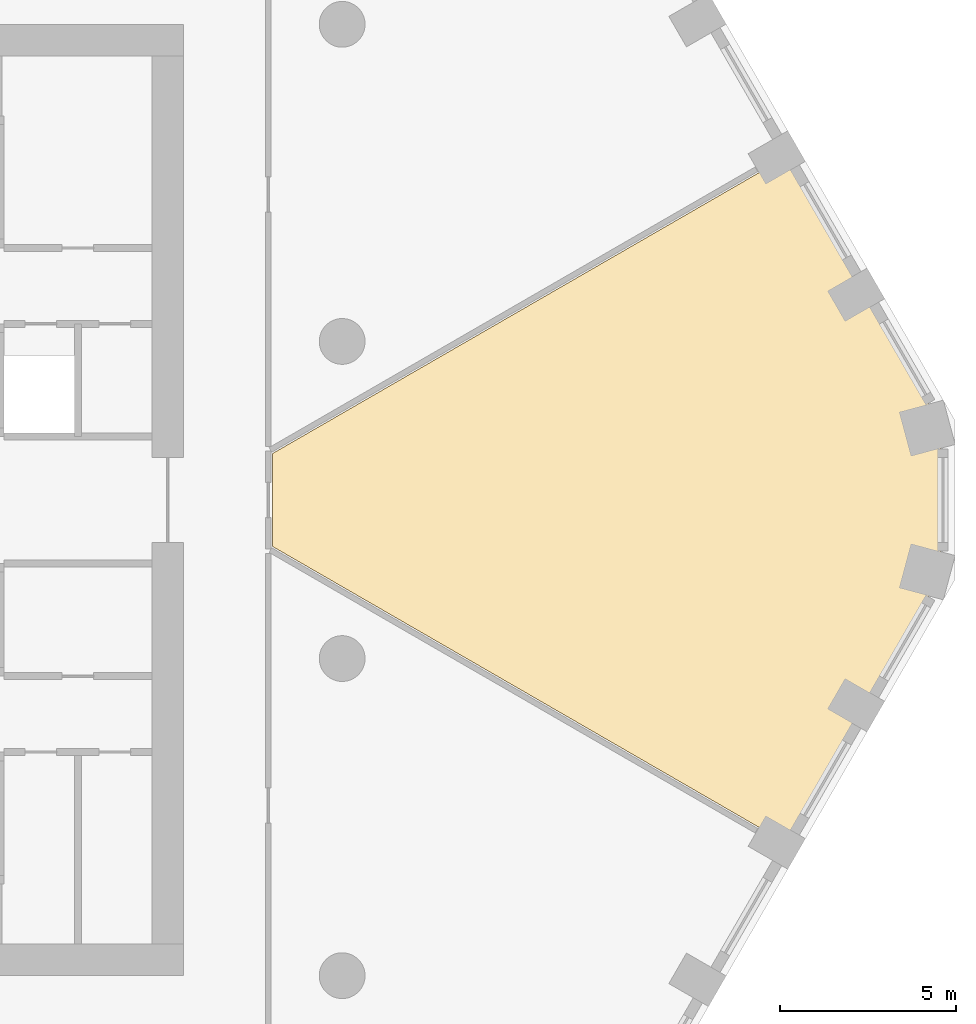
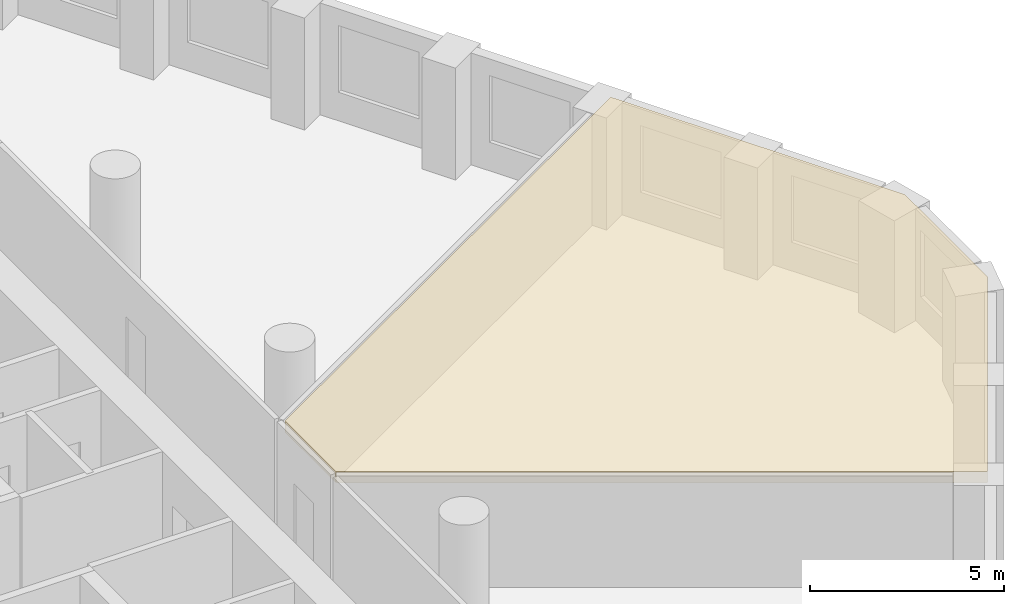
# One storey, part 14 of 14: 1 covering.
"""IFC4 building model written with IfcOpenShell, lengths in metres."""

from ifc_helpers import new_model, si_unit, direction, frame, origin, place, context, subcontext, project, spatial, polyline, outline, extrude, material, layer, layer_set, type_object, element, save


model = new_model("IFC4")

# Units and contexts
model_context = context("Model", 3, precision=1e-05, world=origin(), true_north=direction((0.0, 1.0)))
body_context = subcontext(model_context, "Body", "Model", "MODEL_VIEW")
ifc_project = project(units=[si_unit("LENGTHUNIT", "METRE"), si_unit("AREAUNIT", "SQUARE_METRE"), si_unit("VOLUMEUNIT", "CUBIC_METRE"), si_unit("PLANEANGLEUNIT", "RADIAN"), si_unit("MASSUNIT", "GRAM", prefix="KILO")], contexts=[model_context])

# Site, building, storey
site_placement = place(None, origin())
site = spatial("IfcSite", under=ifc_project, at=site_placement, CompositionType="ELEMENT")
building_placement = place(site_placement, origin())
building = spatial("IfcBuilding", under=site, at=building_placement, Name="Dhurran Vertical Campus", CompositionType="ELEMENT")
storey_placement = place(building_placement, frame((0.0, 0.0, 100.800048828125)))
storey = spatial("IfcBuildingStorey", under=building, at=storey_placement, Name="L24", CompositionType="ELEMENT", Elevation=100.800048828125)

# Covering
ifc_material = material(Name="Mineral fibre ceiling tiles on suspended grid")
ifc_layer = layer(ifc_material, 0.35009765625)
ifc_layer_set = layer_set([ifc_layer], Name="Mineral fibre ceiling tiles on suspended grid")
covering_type = type_object("IfcCoveringType", Name="fl-CE-350 suspended ceiling", PredefinedType="CEILING", material=ifc_layer_set)
covering_placement = place(storey_placement, frame((0.0, 0.0, 3.175048828125)))
element("IfcCovering", 1, at=covering_placement, inside=storey, type_object=covering_type, Name="Ceiling 24-19", PredefinedType="CEILING", context=body_context, shape_type="SweptSolid", body=[
    extrude(outline(polyline([(20.52001953125, -1.31689453125), (20.52001953125, 1.31689453125), (35.093017578125, 9.72998046875), (39.47705078125, 2.137939453125), (39.47705078125, -2.137939453125), (35.093017578125, -9.72998046875), (20.52001953125, -1.31689453125)])), origin(), (0.0, 0.0, 1.0), 0.349853515625),
])

save(model, "model.ifc")
